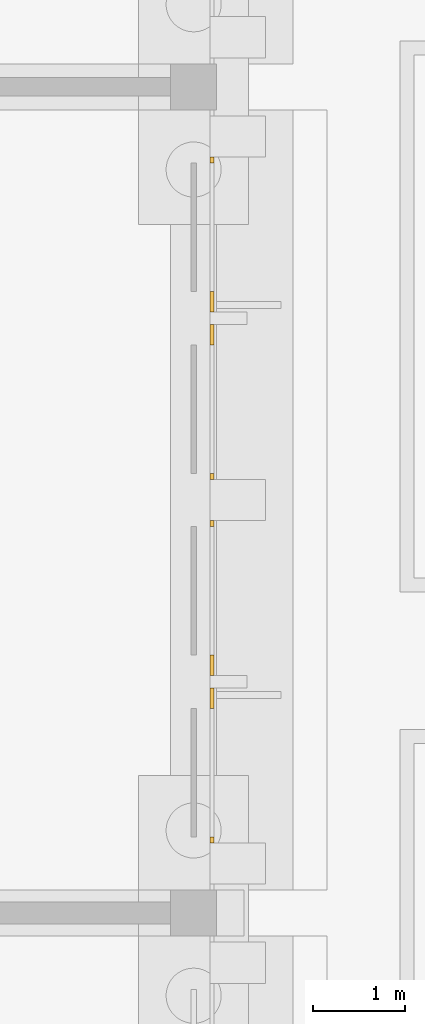
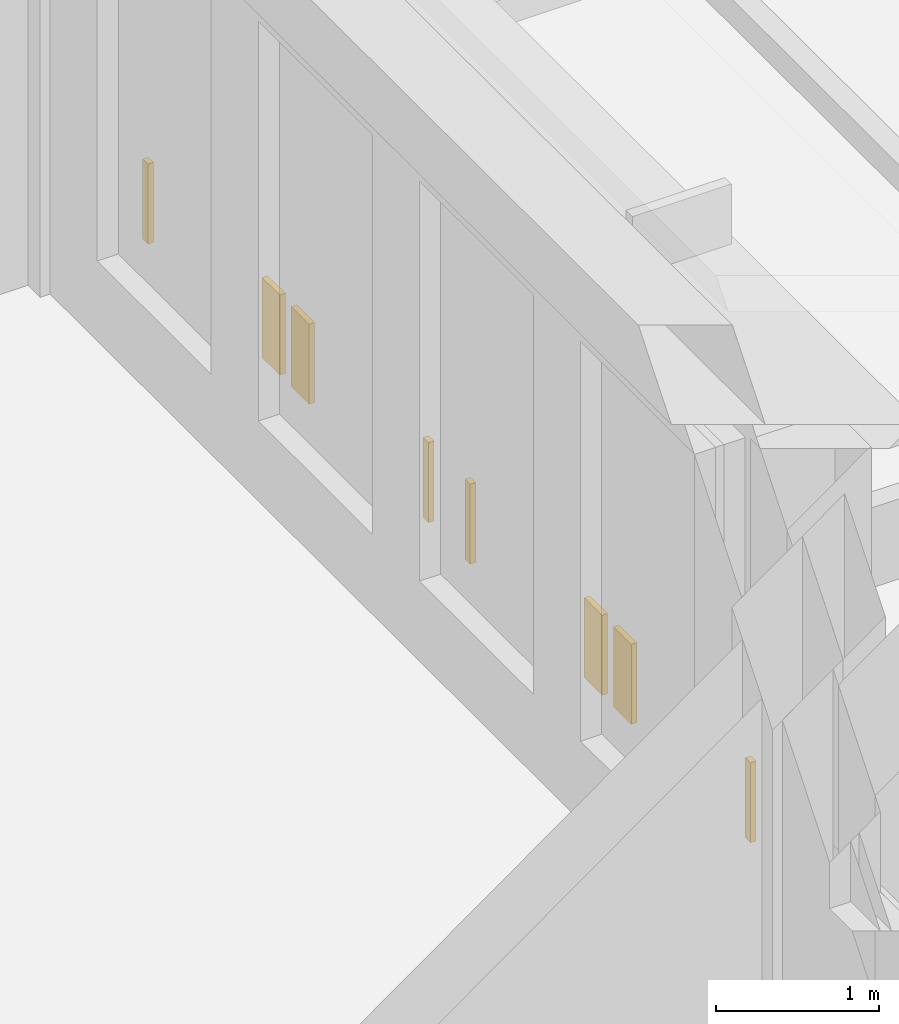
# One storey, part 150 of 161: 8 coverings.
"""IFC4 building model written with IfcOpenShell, lengths in metres."""

from ifc_helpers import new_model, si_unit, direction, frame, origin, origin_2d, place, context, subcontext, project, spatial, rectangle, extrude, material, layer, layer_set, type_object, element, save


model = new_model("IFC4")

# Units and contexts
model_context = context("Model", 3, precision=1e-05, world=origin(), true_north=direction((0.0, 1.0)))
body_context = subcontext(model_context, "Body", "Model", "MODEL_VIEW")
ifc_project = project(units=[si_unit("LENGTHUNIT", "METRE"), si_unit("AREAUNIT", "SQUARE_METRE"), si_unit("VOLUMEUNIT", "CUBIC_METRE"), si_unit("PLANEANGLEUNIT", "RADIAN"), si_unit("MASSUNIT", "GRAM", prefix="KILO")], contexts=[model_context])

# Site, building, storey
site_placement = place(None, origin())
site = spatial("IfcSite", under=ifc_project, at=site_placement, CompositionType="ELEMENT")
building_placement = place(site_placement, origin())
building = spatial("IfcBuilding", under=site, at=building_placement, Name="Elbe Cascade School", CompositionType="ELEMENT")
storey_placement = place(building_placement, origin())
storey = spatial("IfcBuildingStorey", under=building, at=storey_placement, Name="L00", CompositionType="ELEMENT", Elevation=0.0)

# Coverings
ifc_material = material(Name="Sandstone - red", Category="masonry")
ifc_layer = layer(ifc_material, 0.0400390625)
ifc_layer_set = layer_set([ifc_layer], Name="Sandstone - red")
covering_type = type_object("IfcCoveringType", Name="Bars envelope Sandstone cladding, red, 40 mm", PredefinedType="CLADDING", material=ifc_layer_set)
covering_1_placement = place(storey_placement, frame((115.89990234375, 42.797607421875, 0.599853515625), z_axis=(0.0, 0.0, 1.0), x_axis=(0.0, 1.0, 0.0)))
element("IfcCovering", 1, at=covering_1_placement, inside=storey, type_object=covering_type, Name="Sandstone cladding CV48 B.L00.e.5.7", PredefinedType="CLADDING", context=body_context, shape_type="SweptSolid", body=[
    extrude(rectangle(XDim=0.06494140625, YDim=0.0400390625, at=origin_2d()), origin(), (0.0, 0.0, 1.0), 0.60009765625),
])
for number, where, z_axis, x_axis, name in (
    (2, (115.89990234375, 44.340087890625, 0.599853515625), (0.0, 0.0, 1.0), (0.0, 1.0, 0.0), "Sandstone cladding CV48 B.L00.e.5.8"),
    (3, (115.89990234375, 44.699951171875, 0.599853515625), (0.0, 0.0, 1.0), (0.0, 1.0, 0.0), "Sandstone cladding CV48 B.L00.e.5.9"),
):
    element("IfcCovering", number, at=place(storey_placement, frame(where, z_axis=z_axis, x_axis=x_axis)), inside=storey, type_object=covering_type, Name=name, PredefinedType="CLADDING", context=body_context, shape_type="SweptSolid", body=[
        extrude(rectangle(XDim=0.219970703125, YDim=0.0400390625, at=origin_2d()), origin(), (0.0, 0.0, 1.0), 0.60009765625),
    ])
for number, where, z_axis, x_axis, name in (
    (4, (115.89990234375, 46.242431640625, 0.599853515625), (0.0, 0.0, 1.0), (0.0, 1.0, 0.0), "Sandstone cladding CV48 B.L00.e.5.10"),
    (5, (115.89990234375, 46.757568359375, 0.599853515625), (0.0, 0.0, 1.0), (0.0, 1.0, 0.0), "Sandstone cladding CV48 B.L00.e.5.11"),
):
    element("IfcCovering", number, at=place(storey_placement, frame(where, z_axis=z_axis, x_axis=x_axis)), inside=storey, type_object=covering_type, Name=name, PredefinedType="CLADDING", context=body_context, shape_type="SweptSolid", body=[
        extrude(rectangle(XDim=0.06494140625, YDim=0.0400390625, at=origin_2d()), origin(), (0.0, 0.0, 1.0), 0.60009765625),
    ])
for number, where, z_axis, x_axis, name in (
    (6, (115.89990234375, 48.300048828125, 0.599853515625), (0.0, 0.0, 1.0), (0.0, 1.0, 0.0), "Sandstone cladding CV48 B.L00.e.5.12"),
    (7, (115.89990234375, 48.659912109375, 0.599853515625), (0.0, 0.0, 1.0), (0.0, 1.0, 0.0), "Sandstone cladding CV48 B.L00.e.5.13"),
):
    element("IfcCovering", number, at=place(storey_placement, frame(where, z_axis=z_axis, x_axis=x_axis)), inside=storey, type_object=covering_type, Name=name, PredefinedType="CLADDING", context=body_context, shape_type="SweptSolid", body=[
        extrude(rectangle(XDim=0.219970703125, YDim=0.0400390625, at=origin_2d()), origin(), (0.0, 0.0, 1.0), 0.60009765625),
    ])
covering_2_placement = place(storey_placement, frame((115.89990234375, 50.202392578125, 0.599853515625), z_axis=(0.0, 0.0, 1.0), x_axis=(0.0, 1.0, 0.0)))
element("IfcCovering", 8, at=covering_2_placement, inside=storey, type_object=covering_type, Name="Sandstone cladding CV48 B.L00.e.5.14", PredefinedType="CLADDING", context=body_context, shape_type="SweptSolid", body=[
    extrude(rectangle(XDim=0.06494140625, YDim=0.0400390625, at=origin_2d()), origin(), (0.0, 0.0, 1.0), 0.60009765625),
])

save(model, "model.ifc")
